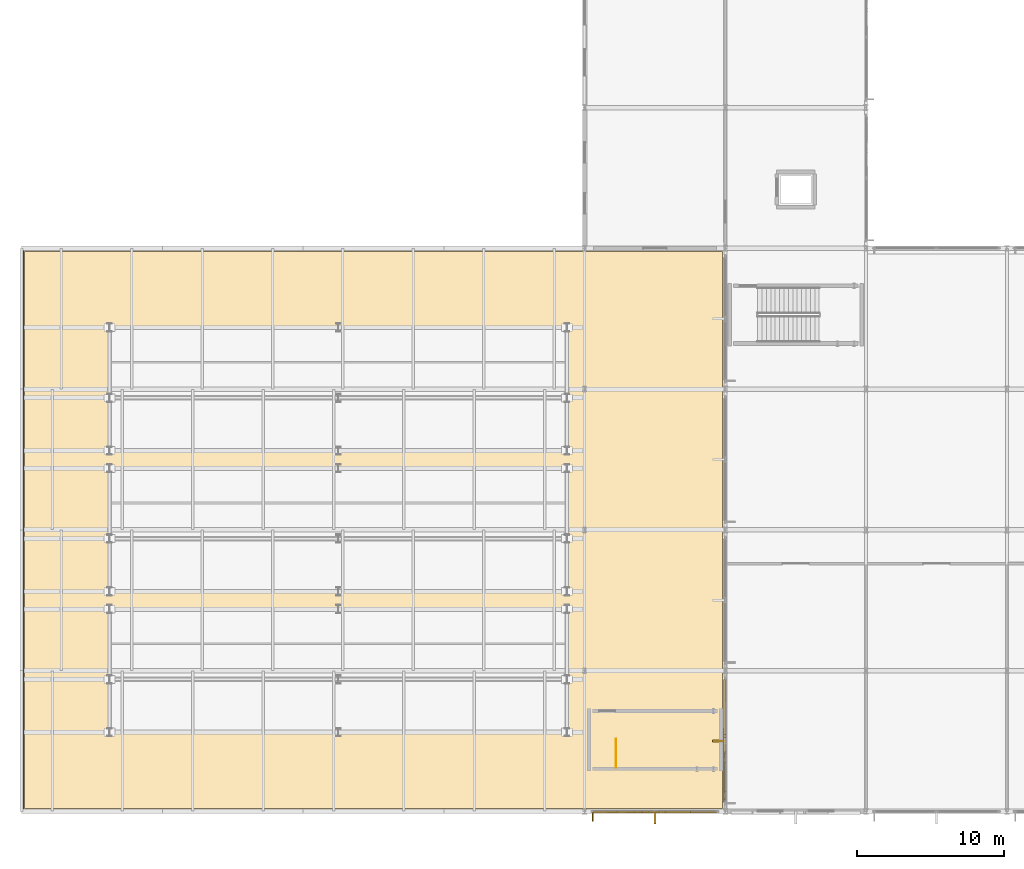
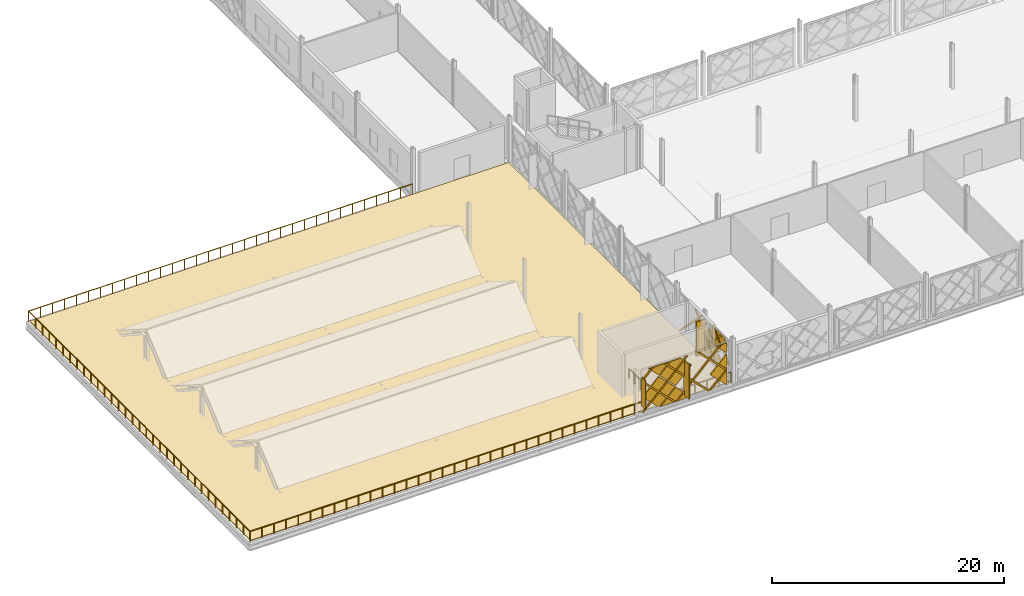
# One storey, part 55 of 77: 24 coverings, 2 railings, 1 shading device.
"""IFC4 building model written with IfcOpenShell, lengths in metres."""

from ifc_helpers import new_model, si_unit, direction, frame, origin, origin_2d, place, context, subcontext, project, spatial, polyline, rectangle, circle, outline, extrude, material, layer, layer_set, type_object, element, save


model = new_model("IFC4")

# Units and contexts
model_context = context("Model", 3, precision=1e-05, world=origin(), true_north=direction((0.0, 1.0)))
body_context = subcontext(model_context, "Body", "Model", "MODEL_VIEW")
ifc_project = project(units=[si_unit("LENGTHUNIT", "METRE"), si_unit("AREAUNIT", "SQUARE_METRE"), si_unit("VOLUMEUNIT", "CUBIC_METRE"), si_unit("PLANEANGLEUNIT", "RADIAN"), si_unit("MASSUNIT", "GRAM", prefix="KILO")], contexts=[model_context])

# Site, building, storey
site_placement = place(None, origin())
site = spatial("IfcSite", under=ifc_project, at=site_placement, CompositionType="ELEMENT")
building_placement = place(site_placement, origin())
building = spatial("IfcBuilding", under=site, at=building_placement, Name="Zevrakil Square Congress Hotel", CompositionType="ELEMENT")
storey_placement = place(building_placement, frame((0.0, 0.0, 9.89990234375)))
storey = spatial("IfcBuildingStorey", under=building, at=storey_placement, Name="L03", CompositionType="ELEMENT", Elevation=9.89990234375)

# Coverings
ifc_material_1 = material(Name="Architectural White Fibre-C GRC", Category="concrete")
ifc_layer_1 = layer(ifc_material_1, 0.06494140625)
ifc_layer_set_1 = layer_set([ifc_layer_1], Name="Architectural White Fibre-C GRC")
covering_type_1 = type_object("IfcCoveringType", Name="COV-DIA-WHITE", PredefinedType="CLADDING", material=ifc_layer_set_1)
covering_1_placement = place(storey_placement, frame((49.47998046875, 7.10595703125, 1.590087890625), z_axis=(0.0, -0.999999790873, 0.000646725815), x_axis=(0.707106707249, -0.000457304257, -0.707106707249)))
element("IfcCovering", 1, at=covering_1_placement, inside=storey, type_object=covering_type_1, Name="L03 45-degree white GRC diamond facade cassette 58", PredefinedType="CLADDING", context=body_context, shape_type="SweptSolid", body=[
    extrude(outline(polyline([(0.0, 0.0), (2.1354765131557993, 0.0), (4.465861884739297e-07, -2.1354765131557527), (0.0, 0.0)])), origin(), (0.0, 0.0, -1.0), 0.1201171875),
])
covering_2_placement = place(storey_placement, frame((47.800048828125, 7.10693359375, 3.27001953125), z_axis=(0.0, -0.999999812555, 0.000612281941), x_axis=(0.707106714489, -0.000432948753, -0.707106715341)))
element("IfcCovering", 2, at=covering_2_placement, inside=storey, type_object=covering_type_1, Name="L03 45-degree white GRC diamond facade cassette 59", PredefinedType="CLADDING", context=body_context, shape_type="SweptSolid", body=[
    extrude(outline(polyline([(0.0, 0.0), (2.2483788053823686, 2.220446049250313e-16), (2.2485518630143098, -2.2485514388251864), (0.013983735657622232, -2.2485514362281265), (-0.00017220932723183147, -2.23439549391379), (0.0, 0.0)])), origin(), (0.0, 0.0, -1.0), 0.1201171875),
])
covering_3_placement = place(storey_placement, frame((54.52001953125, 7.10498046875, 0.090087890625), z_axis=(-4.3898e-08, -0.999999810877, 0.000615017515), x_axis=(-0.707106714509, 0.000434914137, 0.707106714115)))
element("IfcCovering", 3, at=covering_3_placement, inside=storey, type_object=covering_type_1, Name="L03 45-degree white GRC diamond facade cassette 60", PredefinedType="CLADDING", context=body_context, shape_type="SweptSolid", body=[
    extrude(outline(polyline([(0.0, 0.0), (2.2487240723345248, 0.0), (2.2485518629543146, -2.248551438891992), (2.16378882664394, -2.2487240883742428), (-2.3641429092169375e-11, -0.08493566978779551), (0.0, 0.0)])), origin(), (0.0, 0.0, -1.0), 0.1201171875),
])
covering_4_placement = place(storey_placement, frame((51.070068359375, 7.10693359375, 3.360107421875), z_axis=(0.0, -0.999999844271, 0.000558084788), x_axis=(-0.70710674536, -0.000394625558, -0.707106706896)))
element("IfcCovering", 4, at=covering_4_placement, inside=storey, type_object=covering_type_1, Name="L03 45-degree white GRC diamond facade cassette 61", PredefinedType="CLADDING", context=body_context, shape_type="SweptSolid", body=[
    extrude(outline(polyline([(0.0, 0.0), (2.2487239742233536, 0.0), (2.248723746350855, -2.248723974223342), (0.6929505530546104, -2.24872406328951), (-2.467190984845047e-07, -1.5557731932962273), (0.0, 0.0)])), origin(), (0.0, 0.0, -1.0), 0.1201171875),
])
covering_5_placement = place(storey_placement, frame((47.800048828125, 7.107177734375, 3.4501953125), z_axis=(0.0, -0.999999883142, 0.000483442051), x_axis=(-0.707106739871, 0.000341845173, 0.707106739871)))
element("IfcCovering", 5, at=covering_5_placement, inside=storey, type_object=covering_type_1, Name="L03 45-degree white GRC diamond facade cassette 62", PredefinedType="CLADDING", context=body_context, shape_type="SweptSolid", body=[
    extrude(outline(polyline([(0.0, 0.0), (1.4283695921344428, 0.0), (1.6691658821788025e-07, -1.4283695921344328), (0.0, 0.0)])), origin(), (0.0, 0.0, -1.0), 0.1201171875),
])
covering_6_placement = place(storey_placement, frame((54.52001953125, 7.107177734375, 3.4501953125), z_axis=(-2.5668016e-05, -0.999999882073, 0.000484968358), x_axis=(-0.707106739508, 0.00036107446, 0.707106730676)))
element("IfcCovering", 6, at=covering_6_placement, inside=storey, type_object=covering_type_1, Name="L03 45-degree white GRC diamond facade cassette 63", PredefinedType="CLADDING", context=body_context, shape_type="SweptSolid", body=[
    extrude(outline(polyline([(0.0, 0.0), (1.4283695918703618, 0.0), (0.6717170432219074, -0.7566526373474769), (-0.00017263400960761816, -0.08476303987563624), (0.0, 0.0)])), origin(), (0.0, 0.0, -1.0), 0.1201171875),
])
covering_7_placement = place(storey_placement, frame((55.10595703125, 9.56005859375, 1.590087890625), z_axis=(-0.999999790873, 0.0, 0.000646725815), x_axis=(-0.000457304257, -0.707106707249, -0.707106707249)))
element("IfcCovering", 7, at=covering_7_placement, inside=storey, type_object=covering_type_1, Name="L03 45-degree white GRC diamond facade cassette 545", PredefinedType="CLADDING", context=body_context, shape_type="SweptSolid", body=[
    extrude(outline(polyline([(0.0, 0.0), (2.1354765131557993, 0.0), (4.465861884739297e-07, -2.1354765131557527), (0.0, 0.0)])), origin(), (0.0, 0.0, -1.0), 0.1201171875),
])
covering_8_placement = place(storey_placement, frame((55.10693359375, 11.239990234375, 3.27001953125), z_axis=(-0.999999811377, 0.0, 0.000614203339), x_axis=(-0.000434274042, -0.707161000837, -0.707052424012)))
element("IfcCovering", 8, at=covering_8_placement, inside=storey, type_object=covering_type_1, Name="L03 45-degree white GRC diamond facade cassette 546", PredefinedType="CLADDING", context=body_context, shape_type="SweptSolid", body=[
    extrude(outline(polyline([(0.0, 0.0), (2.2485514454867683, 0.0), (2.2483792228863573, -2.248724065739994), (-0.0003448428211170196, -2.248551419043839), (0.0, 0.0)])), origin(), (0.0, 0.0, -1.0), 0.1201171875),
])
covering_9_placement = place(storey_placement, frame((55.10693359375, 7.969970703125, 3.360107421875), z_axis=(-0.999999819419, 0.0, 0.000600967764), x_axis=(-0.000424948402, 0.707106747162, -0.707106687521)))
element("IfcCovering", 9, at=covering_9_placement, inside=storey, type_object=covering_type_1, Name="L03 45-degree white GRC diamond facade cassette 548", PredefinedType="CLADDING", context=body_context, shape_type="SweptSolid", body=[
    extrude(outline(polyline([(0.0, 0.0), (2.248723968490032, 0.0), (2.248551118600983, -2.248551334990214), (1.42129129452942, -2.248551427985134), (-1.7260623347281623e-07, -0.8272598240715496), (0.0, 0.0)])), origin(), (0.0, 0.0, -1.0), 0.1201171875),
])
ifc_material_2 = material(Name="Anodised Champagne Aluminium", Category="aluminium")
ifc_layer_2 = layer(ifc_material_2, 0.0849609375)
ifc_layer_set_2 = layer_set([ifc_layer_2], Name="Anodised Champagne Aluminium")
covering_type_2 = type_object("IfcCoveringType", Name="COV-DIAGRID-45", PredefinedType="MOLDING", material=ifc_layer_set_2)
covering_10_placement = place(storey_placement, frame((46.219970703125, 7.08203125, 3.35400390625), z_axis=(0.00036616619, -0.999999865922, 0.00036616619), x_axis=(-1.34078e-07, 0.000366166166, 0.999999932961)))
element("IfcCovering", 10, at=covering_10_placement, inside=storey, type_object=covering_type_2, Name="L03 45-degree aluminium diagrid rib 64", PredefinedType="MOLDING", context=body_context, shape_type="SweptSolid", body=[
    extrude(outline(polyline([(0.0, 0.0), (0.21215818890215982, 5.6157808774107894e-24), (1.1062012460334505, -0.8940431770025326), (1.1062012175877691, -1.1062013659046903), (0.0, 0.0)])), origin(), (0.0, 0.0, -1.0), 0.14501953125),
])
covering_11_placement = place(storey_placement, frame((46.30615234375, 7.080078125, 0.080078125), z_axis=(0.000183854233, -0.999999888676, 0.000434564551), x_axis=(-0.999999983099, -0.000183854216, 7.9897e-08)))
element("IfcCovering", 11, at=covering_11_placement, inside=storey, type_object=covering_type_2, Name="L03 45-degree aluminium diagrid rib 65", PredefinedType="MOLDING", context=body_context, shape_type="SweptSolid", body=[
    extrude(outline(polyline([(0.0, 0.0), (0.08618163916842775, 0.0), (0.08618164925302442, -0.12622069120683954), (-4.16772468272765, -4.380127706582967), (-4.379882882266924, -4.380127706582967), (0.0, 0.0)])), origin(), (0.0, 0.0, -1.0), 0.14501953125),
])
covering_12_placement = place(storey_placement, frame((49.666015625, 7.080078125, 0.080078125), z_axis=(0.0, -0.999999812042, 0.00061312067), x_axis=(-1.0, 0.0, 0.0)))
element("IfcCovering", 12, at=covering_12_placement, inside=storey, type_object=covering_type_2, Name="L03 45-degree aluminium diagrid rib 66", PredefinedType="MOLDING", context=body_context, shape_type="SweptSolid", body=[
    extrude(outline(polyline([(0.0, 0.0), (0.212158203125, 0.0), (-4.16796875, -4.380127776407226), (-4.380126953125, -4.380127776407226), (0.0, 0.0)])), origin(), (0.0, 0.0, -1.0), 0.14501953125),
])
covering_13_placement = place(storey_placement, frame((53.026123046875, 7.080078125, 0.080078125), z_axis=(0.000294139249, -0.999999913482, 0.000294139249), x_axis=(-0.999999956741, -0.000294139237, 8.6518e-08)))
element("IfcCovering", 13, at=covering_13_placement, inside=storey, type_object=covering_type_2, Name="L03 45-degree aluminium diagrid rib 67", PredefinedType="MOLDING", context=body_context, shape_type="SweptSolid", body=[
    extrude(outline(polyline([(0.0, 0.0), (0.2121581939472589, 0.0), (-1.553955145347468, -1.7661134920951609), (-1.5539551637029505, -1.5539552981479028), (0.0, 0.0)])), origin(), (0.0, 0.0, -1.0), 0.14501953125),
])
covering_14_placement = place(storey_placement, frame((46.219970703125, 7.081787109375, 3.154052734375), z_axis=(0.000287477056, -0.99999958606, 0.000863270454), x_axis=(8.2643e-08, 0.000863270513, 0.999999627382)))
element("IfcCovering", 14, at=covering_14_placement, inside=storey, type_object=covering_type_2, Name="L03 45-degree aluminium diagrid rib 68", PredefinedType="MOLDING", context=body_context, shape_type="SweptSolid", body=[
    extrude(outline(polyline([(0.0, 0.0), (0.21215833483042407, 1.3234889800848443e-23), (-3.0739746676964605, -3.286133202330571), (-3.073974685229852, -3.0739750079722734), (0.0, 0.0)])), origin(), (0.0, 0.0, -1.0), 0.14501953125),
])
covering_15_placement = place(storey_placement, frame((48.27392578125, 7.082763671875, 4.460205078125), z_axis=(0.0, -0.999999812042, 0.00061312067), x_axis=(1.0, 0.0, 0.0)))
element("IfcCovering", 15, at=covering_15_placement, inside=storey, type_object=covering_type_2, Name="L03 45-degree aluminium diagrid rib 69", PredefinedType="MOLDING", context=body_context, shape_type="SweptSolid", body=[
    extrude(outline(polyline([(0.0, 0.0), (0.212158203125, 0.0), (4.59228515625, -4.380127776407226), (4.3798828125, -4.380127776407226), (0.0, 0.0)])), origin(), (0.0, 0.0, -1.0), 0.14501953125),
])
covering_16_placement = place(storey_placement, frame((51.6337890625, 7.082763671875, 4.460205078125), z_axis=(0.000252353727, -0.99999956579, 0.000897071061), x_axis=(0.999999968159, 0.000252353626, -2.26379e-07)))
element("IfcCovering", 16, at=covering_16_placement, inside=storey, type_object=covering_type_2, Name="L03 45-degree aluminium diagrid rib 70", PredefinedType="MOLDING", context=body_context, shape_type="SweptSolid", body=[
    extrude(outline(polyline([(0.0, 0.0), (0.21240233698685398, -5.62224322594636e-24), (2.946289156313389, -2.733887151800985), (2.946289142787097, -2.9462896290985006), (0.0, 0.0)])), origin(), (0.0, 0.0, -1.0), 0.14501953125),
])
covering_17_placement = place(storey_placement, frame((55.080078125, 16.093994140625, 0.080078125), z_axis=(-0.999999881591, -0.000189745714, 0.000448122857), x_axis=(-0.000189745695, 0.999999981998, 8.5029e-08)))
element("IfcCovering", 17, at=covering_17_placement, inside=storey, type_object=covering_type_2, Name="L03 45-degree aluminium diagrid rib 549", PredefinedType="MOLDING", context=body_context, shape_type="SweptSolid", body=[
    extrude(outline(polyline([(0.0, 0.0), (0.08593749845297734, 0.0), (0.08593750918544711, -0.12622069045155077), (-3.6528321001012993, -3.864990940352672), (-3.8649902994070873, -3.864990940352672), (0.0, 0.0)])), origin(), (0.0, 0.0, -1.0), 0.14501953125),
])
covering_18_placement = place(storey_placement, frame((55.080078125, 12.73388671875, 0.080078125), z_axis=(-0.999999800495, 0.0, 0.00063167191), x_axis=(0.0, 1.0, 0.0)))
element("IfcCovering", 18, at=covering_18_placement, inside=storey, type_object=covering_type_2, Name="L03 45-degree aluminium diagrid rib 550", PredefinedType="MOLDING", context=body_context, shape_type="SweptSolid", body=[
    extrude(outline(polyline([(0.0, 0.0), (0.212158203125, 0.0), (-3.65283203125, -3.8649910054589514), (-3.864990234375, -3.8649910054589514), (0.0, 0.0)])), origin(), (0.0, 0.0, -1.0), 0.14501953125),
])
covering_19_placement = place(storey_placement, frame((55.080078125, 9.373779296875, 0.080078125), z_axis=(-0.999999913476, -0.000293980909, 0.000294319207), x_axis=(-0.000293980897, 0.999999956788, 8.6524e-08)))
element("IfcCovering", 19, at=covering_19_placement, inside=storey, type_object=covering_type_2, Name="L03 45-degree aluminium diagrid rib 551", PredefinedType="MOLDING", context=body_context, shape_type="SweptSolid", body=[
    extrude(outline(polyline([(0.0, 0.0), (0.21240233457158741, 0.0), (-1.5537110046395635, -1.7661134921773871), (-1.553711022996389, -1.5539552982413625), (0.0, 0.0)])), origin(), (0.0, 0.0, -1.0), 0.14501953125),
])
covering_20_placement = place(storey_placement, frame((55.08251953125, 13.611083984375, 3.945068359375), z_axis=(-0.999999800495, 0.0, 0.00063167191), x_axis=(0.0, -1.0, 0.0)))
element("IfcCovering", 20, at=covering_20_placement, inside=storey, type_object=covering_type_2, Name="L03 45-degree aluminium diagrid rib 553", PredefinedType="MOLDING", context=body_context, shape_type="SweptSolid", body=[
    extrude(outline(polyline([(0.0, 0.0), (0.212158203125, 0.0), (4.0771484375, -3.8649910054589514), (3.864990234375, -3.8649910054589514), (0.0, 0.0)])), origin(), (0.0, 0.0, -1.0), 0.14501953125),
])
covering_21_placement = place(storey_placement, frame((55.08251953125, 10.251220703125, 3.945068359375), z_axis=(-0.999999553234, -0.000233433531, 0.000915991243), x_axis=(0.000233433433, -0.999999972754, -2.13823e-07)))
element("IfcCovering", 21, at=covering_21_placement, inside=storey, type_object=covering_type_2, Name="L03 45-degree aluminium diagrid rib 554", PredefinedType="MOLDING", context=body_context, shape_type="SweptSolid", body=[
    extrude(outline(polyline([(0.0, 0.0), (0.2124023379629692, 0.0), (2.431152409988223, -2.218750410973885), (2.4311523984141608, -2.4311528892475156), (0.0, 0.0)])), origin(), (0.0, 0.0, -1.0), 0.14501953125),
])
ifc_material_3 = material(Name="Architectural White Fibre-C GRC", Category="concrete")
ifc_layer_3 = layer(ifc_material_3, 0.139892578125)
ifc_layer_set_3 = layer_set([ifc_layer_3], Name="Architectural White Fibre-C GRC")
covering_type_3 = type_object("IfcCoveringType", Name="COV-FIN-GRC90", PredefinedType="MOLDING", material=ifc_layer_set_3)
for number, where, z_axis, x_axis, name in (
    (22, (50.39990234375, 6.780029296875, 0.469970703125), (0.0, 0.0, 1.0), (0.0, -1.0, 0.0), "L03 highland sun-breaker GRC fin 71"),
    (23, (54.780029296875, 12.0, 0.212646484375), (0.0, 0.0, 1.0), (-1.0, 0.0, 0.0), "L03 highland sun-breaker GRC fin 555"),
):
    element("IfcCovering", number, at=place(storey_placement, frame(where, z_axis=z_axis, x_axis=x_axis)), inside=storey, type_object=covering_type_3, Name=name, PredefinedType="MOLDING", context=body_context, shape_type="SweptSolid", body=[
        extrude(rectangle(XDim=0.89990234375, YDim=0.139892578125, at=origin_2d()), origin(), (0.0, 0.0, 1.0), 3.60009765625),
    ])
ifc_material_4 = material(Name="EPDM Weatherproof Roof Membrane")
ifc_layer_4 = layer(ifc_material_4, 0.06005859375)
ifc_layer_set_4 = layer_set([ifc_layer_4], Name="EPDM Weatherproof Roof Membrane")
covering_type_4 = type_object("IfcCoveringType", Name="COV-ROOF-MEMB-060", PredefinedType="ROOFING", material=ifc_layer_set_4)
covering_22_placement = place(storey_placement, origin())
element("IfcCovering", 24, at=covering_22_placement, inside=storey, type_object=covering_type_4, Name="L03 weatherproof roof membrane covering COV-ROOF-L03-BAL", PredefinedType="ROOFING", context=body_context, shape_type="SweptSolid", body=[
    extrude(outline(polyline([(7.39990234375, 7.39990234375), (55.0, 7.39990234375), (55.0, 45.39990234375), (7.39990234375, 45.39990234375), (7.39990234375, 7.39990234375)])), origin(), (0.0, 0.0, 1.0), 0.06005859375),
])

# Railings
ifc_material_5 = material(Name="Steel S355", Category="steel")
railing_type_1 = type_object("IfcRailingType", Name="RLG-STAIR-GUARD-1100", PredefinedType="BALUSTRADE", material=ifc_material_5)
railing_1_placement = place(storey_placement, frame((47.75, 10.199951171875, 0.0)))
element("IfcRailing", 25, at=railing_1_placement, inside=storey, type_object=railing_type_1, Name="L03 ST12 top well guard 1", PredefinedType="BALUSTRADE", context=body_context, shape_type="SweptSolid", body=[
    extrude(circle(Radius=0.02392578125, at=origin_2d()), frame((0.0, 0.0, 1.076171875), z_axis=(0.0, 1.0, 0.0), x_axis=(-1.0, 0.0, 0.0)), (0.0, 0.0, 1.0), 1.949951171875),
    extrude(circle(Radius=0.02099609375, at=origin_2d()), origin(), (0.0, 0.0, 1.0), 1.052001953125),
    extrude(circle(Radius=0.02099609375, at=origin_2d()), frame((0.0, 0.97509765625, 0.0)), (0.0, 0.0, 1.0), 1.052001953125),
    extrude(circle(Radius=0.02099609375, at=origin_2d()), frame((0.0, 1.949951171875, 0.0)), (0.0, 0.0, 1.0), 1.052001953125),
])
ifc_material_6 = material(Name="Steel S355", Category="steel")
railing_type_2 = type_object("IfcRailingType", Name="RLG-TERR-1100", PredefinedType="BALUSTRADE", material=ifc_material_6)
railing_2_placement = place(storey_placement, frame((55.080078125, 7.320068359375, 0.0)))
element("IfcRailing", 26, at=railing_2_placement, inside=storey, type_object=railing_type_2, Name="L03 terrace and void safety balustrade guard 32", PredefinedType="BALUSTRADE", context=body_context, shape_type="SweptSolid", body=[
    extrude(circle(Radius=0.02392578125, at=origin_2d()), frame((0.0, 0.0, 1.076171875), z_axis=(-1.0, 0.0, 0.0), x_axis=(0.0, -1.0, 0.0)), (0.0, 0.0, 1.0), 47.760009765625),
    extrude(circle(Radius=0.02392578125, at=origin_2d()), frame((-47.760009765625, 0.0, 1.076171875), z_axis=(0.0, 1.0, 0.0), x_axis=(-1.0, 0.0, 0.0)), (0.0, 0.0, 1.0), 38.159912109375),
    extrude(circle(Radius=0.02392578125, at=origin_2d()), frame((-47.760009765625, 38.159912109375, 1.076171875), z_axis=(1.0, 0.0, 0.0), x_axis=(0.0, 1.0, 0.0)), (0.0, 0.0, 1.0), 38.159912109375),
    extrude(circle(Radius=0.02099609375, at=origin_2d()), origin(), (0.0, 0.0, 1.0), 1.052001953125),
    extrude(circle(Radius=0.02099609375, at=origin_2d()), frame((-1.194091796875, 0.0, 0.0)), (0.0, 0.0, 1.0), 1.052001953125),
    extrude(circle(Radius=0.02099609375, at=origin_2d()), frame((-2.387939453125, 0.0, 0.0)), (0.0, 0.0, 1.0), 1.052001953125),
    extrude(circle(Radius=0.02099609375, at=origin_2d()), frame((-3.58203125, 0.0, 0.0)), (0.0, 0.0, 1.0), 1.052001953125),
    extrude(circle(Radius=0.02099609375, at=origin_2d()), frame((-4.77587890625, 0.0, 0.0)), (0.0, 0.0, 1.0), 1.052001953125),
    extrude(circle(Radius=0.02099609375, at=origin_2d()), frame((-5.969970703125, 0.0, 0.0)), (0.0, 0.0, 1.0), 1.052001953125),
    extrude(circle(Radius=0.02099609375, at=origin_2d()), frame((-7.1640625, 0.0, 0.0)), (0.0, 0.0, 1.0), 1.052001953125),
    extrude(circle(Radius=0.02099609375, at=origin_2d()), frame((-8.35791015625, 0.0, 0.0)), (0.0, 0.0, 1.0), 1.052001953125),
    extrude(circle(Radius=0.02099609375, at=origin_2d()), frame((-9.552001953125, 0.0, 0.0)), (0.0, 0.0, 1.0), 1.052001953125),
    extrude(circle(Radius=0.02099609375, at=origin_2d()), frame((-10.74609375, 0.0, 0.0)), (0.0, 0.0, 1.0), 1.052001953125),
    extrude(circle(Radius=0.02099609375, at=origin_2d()), frame((-11.93994140625, 0.0, 0.0)), (0.0, 0.0, 1.0), 1.052001953125),
    extrude(circle(Radius=0.02099609375, at=origin_2d()), frame((-13.134033203125, 0.0, 0.0)), (0.0, 0.0, 1.0), 1.052001953125),
    extrude(circle(Radius=0.02099609375, at=origin_2d()), frame((-14.328125, 0.0, 0.0)), (0.0, 0.0, 1.0), 1.052001953125),
    extrude(circle(Radius=0.02099609375, at=origin_2d()), frame((-15.52197265625, 0.0, 0.0)), (0.0, 0.0, 1.0), 1.052001953125),
    extrude(circle(Radius=0.02099609375, at=origin_2d()), frame((-16.716064453125, 0.0, 0.0)), (0.0, 0.0, 1.0), 1.052001953125),
    extrude(circle(Radius=0.02099609375, at=origin_2d()), frame((-17.909912109375, 0.0, 0.0)), (0.0, 0.0, 1.0), 1.052001953125),
    extrude(circle(Radius=0.02099609375, at=origin_2d()), frame((-19.10400390625, 0.0, 0.0)), (0.0, 0.0, 1.0), 1.052001953125),
    extrude(circle(Radius=0.02099609375, at=origin_2d()), frame((-20.298095703125, 0.0, 0.0)), (0.0, 0.0, 1.0), 1.052001953125),
    extrude(circle(Radius=0.02099609375, at=origin_2d()), frame((-21.491943359375, 0.0, 0.0)), (0.0, 0.0, 1.0), 1.052001953125),
    extrude(circle(Radius=0.02099609375, at=origin_2d()), frame((-22.68603515625, 0.0, 0.0)), (0.0, 0.0, 1.0), 1.052001953125),
    extrude(circle(Radius=0.02099609375, at=origin_2d()), frame((-23.8798828125, 0.0, 0.0)), (0.0, 0.0, 1.0), 1.052001953125),
    extrude(circle(Radius=0.02099609375, at=origin_2d()), frame((-25.073974609375, 0.0, 0.0)), (0.0, 0.0, 1.0), 1.052001953125),
    extrude(circle(Radius=0.02099609375, at=origin_2d()), frame((-26.26806640625, 0.0, 0.0)), (0.0, 0.0, 1.0), 1.052001953125),
    extrude(circle(Radius=0.02099609375, at=origin_2d()), frame((-27.4619140625, 0.0, 0.0)), (0.0, 0.0, 1.0), 1.052001953125),
    extrude(circle(Radius=0.02099609375, at=origin_2d()), frame((-28.656005859375, 0.0, 0.0)), (0.0, 0.0, 1.0), 1.052001953125),
    extrude(circle(Radius=0.02099609375, at=origin_2d()), frame((-29.85009765625, 0.0, 0.0)), (0.0, 0.0, 1.0), 1.052001953125),
    extrude(circle(Radius=0.02099609375, at=origin_2d()), frame((-31.0439453125, 0.0, 0.0)), (0.0, 0.0, 1.0), 1.052001953125),
    extrude(circle(Radius=0.02099609375, at=origin_2d()), frame((-32.238037109375, 0.0, 0.0)), (0.0, 0.0, 1.0), 1.052001953125),
    extrude(circle(Radius=0.02099609375, at=origin_2d()), frame((-33.43212890625, 0.0, 0.0)), (0.0, 0.0, 1.0), 1.052001953125),
    extrude(circle(Radius=0.02099609375, at=origin_2d()), frame((-34.6259765625, 0.0, 0.0)), (0.0, 0.0, 1.0), 1.052001953125),
    extrude(circle(Radius=0.02099609375, at=origin_2d()), frame((-35.820068359375, 0.0, 0.0)), (0.0, 0.0, 1.0), 1.052001953125),
    extrude(circle(Radius=0.02099609375, at=origin_2d()), frame((-37.013916015625, 0.0, 0.0)), (0.0, 0.0, 1.0), 1.052001953125),
    extrude(circle(Radius=0.02099609375, at=origin_2d()), frame((-38.2080078125, 0.0, 0.0)), (0.0, 0.0, 1.0), 1.052001953125),
    extrude(circle(Radius=0.02099609375, at=origin_2d()), frame((-39.402099609375, 0.0, 0.0)), (0.0, 0.0, 1.0), 1.052001953125),
    extrude(circle(Radius=0.02099609375, at=origin_2d()), frame((-40.595947265625, 0.0, 0.0)), (0.0, 0.0, 1.0), 1.052001953125),
    extrude(circle(Radius=0.02099609375, at=origin_2d()), frame((-41.7900390625, 0.0, 0.0)), (0.0, 0.0, 1.0), 1.052001953125),
    extrude(circle(Radius=0.02099609375, at=origin_2d()), frame((-42.98388671875, 0.0, 0.0)), (0.0, 0.0, 1.0), 1.052001953125),
    extrude(circle(Radius=0.02099609375, at=origin_2d()), frame((-44.177978515625, 0.0, 0.0)), (0.0, 0.0, 1.0), 1.052001953125),
    extrude(circle(Radius=0.02099609375, at=origin_2d()), frame((-45.3720703125, 0.0, 0.0)), (0.0, 0.0, 1.0), 1.052001953125),
    extrude(circle(Radius=0.02099609375, at=origin_2d()), frame((-46.56591796875, 0.0, 0.0)), (0.0, 0.0, 1.0), 1.052001953125),
    extrude(circle(Radius=0.02099609375, at=origin_2d()), frame((-47.760009765625, 0.0, 0.0)), (0.0, 0.0, 1.0), 1.052001953125),
    extrude(circle(Radius=0.02099609375, at=origin_2d()), frame((-47.760009765625, 1.1923828125, 0.0)), (0.0, 0.0, 1.0), 1.052001953125),
    extrude(circle(Radius=0.02099609375, at=origin_2d()), frame((-47.760009765625, 2.385009765625, 0.0)), (0.0, 0.0, 1.0), 1.052001953125),
    extrude(circle(Radius=0.02099609375, at=origin_2d()), frame((-47.760009765625, 3.577392578125, 0.0)), (0.0, 0.0, 1.0), 1.052001953125),
    extrude(circle(Radius=0.02099609375, at=origin_2d()), frame((-47.760009765625, 4.77001953125, 0.0)), (0.0, 0.0, 1.0), 1.052001953125),
    extrude(circle(Radius=0.02099609375, at=origin_2d()), frame((-47.760009765625, 5.96240234375, 0.0)), (0.0, 0.0, 1.0), 1.052001953125),
    extrude(circle(Radius=0.02099609375, at=origin_2d()), frame((-47.760009765625, 7.155029296875, 0.0)), (0.0, 0.0, 1.0), 1.052001953125),
    extrude(circle(Radius=0.02099609375, at=origin_2d()), frame((-47.760009765625, 8.347412109375, 0.0)), (0.0, 0.0, 1.0), 1.052001953125),
    extrude(circle(Radius=0.02099609375, at=origin_2d()), frame((-47.760009765625, 9.5400390625, 0.0)), (0.0, 0.0, 1.0), 1.052001953125),
    extrude(circle(Radius=0.02099609375, at=origin_2d()), frame((-47.760009765625, 10.732421875, 0.0)), (0.0, 0.0, 1.0), 1.052001953125),
    extrude(circle(Radius=0.02099609375, at=origin_2d()), frame((-47.760009765625, 11.925048828125, 0.0)), (0.0, 0.0, 1.0), 1.052001953125),
    extrude(circle(Radius=0.02099609375, at=origin_2d()), frame((-47.760009765625, 13.117431640625, 0.0)), (0.0, 0.0, 1.0), 1.052001953125),
    extrude(circle(Radius=0.02099609375, at=origin_2d()), frame((-47.760009765625, 14.31005859375, 0.0)), (0.0, 0.0, 1.0), 1.052001953125),
    extrude(circle(Radius=0.02099609375, at=origin_2d()), frame((-47.760009765625, 15.50244140625, 0.0)), (0.0, 0.0, 1.0), 1.052001953125),
    extrude(circle(Radius=0.02099609375, at=origin_2d()), frame((-47.760009765625, 16.695068359375, 0.0)), (0.0, 0.0, 1.0), 1.052001953125),
    extrude(circle(Radius=0.02099609375, at=origin_2d()), frame((-47.760009765625, 17.887451171875, 0.0)), (0.0, 0.0, 1.0), 1.052001953125),
    extrude(circle(Radius=0.02099609375, at=origin_2d()), frame((-47.760009765625, 19.080078125, 0.0)), (0.0, 0.0, 1.0), 1.052001953125),
    extrude(circle(Radius=0.02099609375, at=origin_2d()), frame((-47.760009765625, 20.2724609375, 0.0)), (0.0, 0.0, 1.0), 1.052001953125),
    extrude(circle(Radius=0.02099609375, at=origin_2d()), frame((-47.760009765625, 21.46484375, 0.0)), (0.0, 0.0, 1.0), 1.052001953125),
    extrude(circle(Radius=0.02099609375, at=origin_2d()), frame((-47.760009765625, 22.657470703125, 0.0)), (0.0, 0.0, 1.0), 1.052001953125),
    extrude(circle(Radius=0.02099609375, at=origin_2d()), frame((-47.760009765625, 23.849853515625, 0.0)), (0.0, 0.0, 1.0), 1.052001953125),
    extrude(circle(Radius=0.02099609375, at=origin_2d()), frame((-47.760009765625, 25.04248046875, 0.0)), (0.0, 0.0, 1.0), 1.052001953125),
    extrude(circle(Radius=0.02099609375, at=origin_2d()), frame((-47.760009765625, 26.23486328125, 0.0)), (0.0, 0.0, 1.0), 1.052001953125),
    extrude(circle(Radius=0.02099609375, at=origin_2d()), frame((-47.760009765625, 27.427490234375, 0.0)), (0.0, 0.0, 1.0), 1.052001953125),
    extrude(circle(Radius=0.02099609375, at=origin_2d()), frame((-47.760009765625, 28.619873046875, 0.0)), (0.0, 0.0, 1.0), 1.052001953125),
    extrude(circle(Radius=0.02099609375, at=origin_2d()), frame((-47.760009765625, 29.8125, 0.0)), (0.0, 0.0, 1.0), 1.052001953125),
    extrude(circle(Radius=0.02099609375, at=origin_2d()), frame((-47.760009765625, 31.0048828125, 0.0)), (0.0, 0.0, 1.0), 1.052001953125),
    extrude(circle(Radius=0.02099609375, at=origin_2d()), frame((-47.760009765625, 32.197509765625, 0.0)), (0.0, 0.0, 1.0), 1.052001953125),
    extrude(circle(Radius=0.02099609375, at=origin_2d()), frame((-47.760009765625, 33.389892578125, 0.0)), (0.0, 0.0, 1.0), 1.052001953125),
    extrude(circle(Radius=0.02099609375, at=origin_2d()), frame((-47.760009765625, 34.58251953125, 0.0)), (0.0, 0.0, 1.0), 1.052001953125),
    extrude(circle(Radius=0.02099609375, at=origin_2d()), frame((-47.760009765625, 35.77490234375, 0.0)), (0.0, 0.0, 1.0), 1.052001953125),
    extrude(circle(Radius=0.02099609375, at=origin_2d()), frame((-47.760009765625, 36.967529296875, 0.0)), (0.0, 0.0, 1.0), 1.052001953125),
    extrude(circle(Radius=0.02099609375, at=origin_2d()), frame((-47.760009765625, 38.159912109375, 0.0)), (0.0, 0.0, 1.0), 1.052001953125),
    extrude(circle(Radius=0.02099609375, at=origin_2d()), frame((-46.567626953125, 38.159912109375, 0.0)), (0.0, 0.0, 1.0), 1.052001953125),
    extrude(circle(Radius=0.02099609375, at=origin_2d()), frame((-45.375, 38.159912109375, 0.0)), (0.0, 0.0, 1.0), 1.052001953125),
    extrude(circle(Radius=0.02099609375, at=origin_2d()), frame((-44.1826171875, 38.159912109375, 0.0)), (0.0, 0.0, 1.0), 1.052001953125),
    extrude(circle(Radius=0.02099609375, at=origin_2d()), frame((-42.989990234375, 38.159912109375, 0.0)), (0.0, 0.0, 1.0), 1.052001953125),
    extrude(circle(Radius=0.02099609375, at=origin_2d()), frame((-41.797607421875, 38.159912109375, 0.0)), (0.0, 0.0, 1.0), 1.052001953125),
    extrude(circle(Radius=0.02099609375, at=origin_2d()), frame((-40.60498046875, 38.159912109375, 0.0)), (0.0, 0.0, 1.0), 1.052001953125),
    extrude(circle(Radius=0.02099609375, at=origin_2d()), frame((-39.41259765625, 38.159912109375, 0.0)), (0.0, 0.0, 1.0), 1.052001953125),
    extrude(circle(Radius=0.02099609375, at=origin_2d()), frame((-38.219970703125, 38.159912109375, 0.0)), (0.0, 0.0, 1.0), 1.052001953125),
    extrude(circle(Radius=0.02099609375, at=origin_2d()), frame((-37.027587890625, 38.159912109375, 0.0)), (0.0, 0.0, 1.0), 1.052001953125),
    extrude(circle(Radius=0.02099609375, at=origin_2d()), frame((-35.8349609375, 38.159912109375, 0.0)), (0.0, 0.0, 1.0), 1.052001953125),
    extrude(circle(Radius=0.02099609375, at=origin_2d()), frame((-34.642578125, 38.159912109375, 0.0)), (0.0, 0.0, 1.0), 1.052001953125),
    extrude(circle(Radius=0.02099609375, at=origin_2d()), frame((-33.449951171875, 38.159912109375, 0.0)), (0.0, 0.0, 1.0), 1.052001953125),
    extrude(circle(Radius=0.02099609375, at=origin_2d()), frame((-32.257568359375, 38.159912109375, 0.0)), (0.0, 0.0, 1.0), 1.052001953125),
    extrude(circle(Radius=0.02099609375, at=origin_2d()), frame((-31.06494140625, 38.159912109375, 0.0)), (0.0, 0.0, 1.0), 1.052001953125),
    extrude(circle(Radius=0.02099609375, at=origin_2d()), frame((-29.87255859375, 38.159912109375, 0.0)), (0.0, 0.0, 1.0), 1.052001953125),
    extrude(circle(Radius=0.02099609375, at=origin_2d()), frame((-28.68017578125, 38.159912109375, 0.0)), (0.0, 0.0, 1.0), 1.052001953125),
    extrude(circle(Radius=0.02099609375, at=origin_2d()), frame((-27.487548828125, 38.159912109375, 0.0)), (0.0, 0.0, 1.0), 1.052001953125),
    extrude(circle(Radius=0.02099609375, at=origin_2d()), frame((-26.295166015625, 38.159912109375, 0.0)), (0.0, 0.0, 1.0), 1.052001953125),
    extrude(circle(Radius=0.02099609375, at=origin_2d()), frame((-25.1025390625, 38.159912109375, 0.0)), (0.0, 0.0, 1.0), 1.052001953125),
    extrude(circle(Radius=0.02099609375, at=origin_2d()), frame((-23.91015625, 38.159912109375, 0.0)), (0.0, 0.0, 1.0), 1.052001953125),
    extrude(circle(Radius=0.02099609375, at=origin_2d()), frame((-22.717529296875, 38.159912109375, 0.0)), (0.0, 0.0, 1.0), 1.052001953125),
    extrude(circle(Radius=0.02099609375, at=origin_2d()), frame((-21.525146484375, 38.159912109375, 0.0)), (0.0, 0.0, 1.0), 1.052001953125),
    extrude(circle(Radius=0.02099609375, at=origin_2d()), frame((-20.33251953125, 38.159912109375, 0.0)), (0.0, 0.0, 1.0), 1.052001953125),
    extrude(circle(Radius=0.02099609375, at=origin_2d()), frame((-19.14013671875, 38.159912109375, 0.0)), (0.0, 0.0, 1.0), 1.052001953125),
    extrude(circle(Radius=0.02099609375, at=origin_2d()), frame((-17.947509765625, 38.159912109375, 0.0)), (0.0, 0.0, 1.0), 1.052001953125),
    extrude(circle(Radius=0.02099609375, at=origin_2d()), frame((-16.755126953125, 38.159912109375, 0.0)), (0.0, 0.0, 1.0), 1.052001953125),
    extrude(circle(Radius=0.02099609375, at=origin_2d()), frame((-15.5625, 38.159912109375, 0.0)), (0.0, 0.0, 1.0), 1.052001953125),
    extrude(circle(Radius=0.02099609375, at=origin_2d()), frame((-14.3701171875, 38.159912109375, 0.0)), (0.0, 0.0, 1.0), 1.052001953125),
    extrude(circle(Radius=0.02099609375, at=origin_2d()), frame((-13.177490234375, 38.159912109375, 0.0)), (0.0, 0.0, 1.0), 1.052001953125),
    extrude(circle(Radius=0.02099609375, at=origin_2d()), frame((-11.985107421875, 38.159912109375, 0.0)), (0.0, 0.0, 1.0), 1.052001953125),
    extrude(circle(Radius=0.02099609375, at=origin_2d()), frame((-10.79248046875, 38.159912109375, 0.0)), (0.0, 0.0, 1.0), 1.052001953125),
    extrude(circle(Radius=0.02099609375, at=origin_2d()), frame((-9.60009765625, 38.159912109375, 0.0)), (0.0, 0.0, 1.0), 1.052001953125),
])

# Shading device
ifc_material_7 = material(Name="Aluminium Anodised Bronze", Category="aluminium")
shading_device_type = type_object("IfcShadingDeviceType", Name="SHD-FIN-65", PredefinedType="USERDEFINED", material=ifc_material_7)
shading_device_placement = place(storey_placement, frame((46.159912109375, 6.85498046875, 0.77001953125), z_axis=(0.0, 0.0, 1.0), x_axis=(0.0, -1.0, 0.0)))
element("IfcShadingDevice", 27, at=shading_device_placement, inside=storey, type_object=shading_device_type, Name="L03 aluminium solar shading fin 4", ObjectType="SOLAR FIN", PredefinedType="USERDEFINED", context=body_context, shape_type="SweptSolid", body=[
    extrude(rectangle(XDim=0.64990234375, YDim=0.080078125, at=origin_2d()), origin(), (0.0, 0.0, 1.0), 3.0),
])

save(model, "model.ifc")
